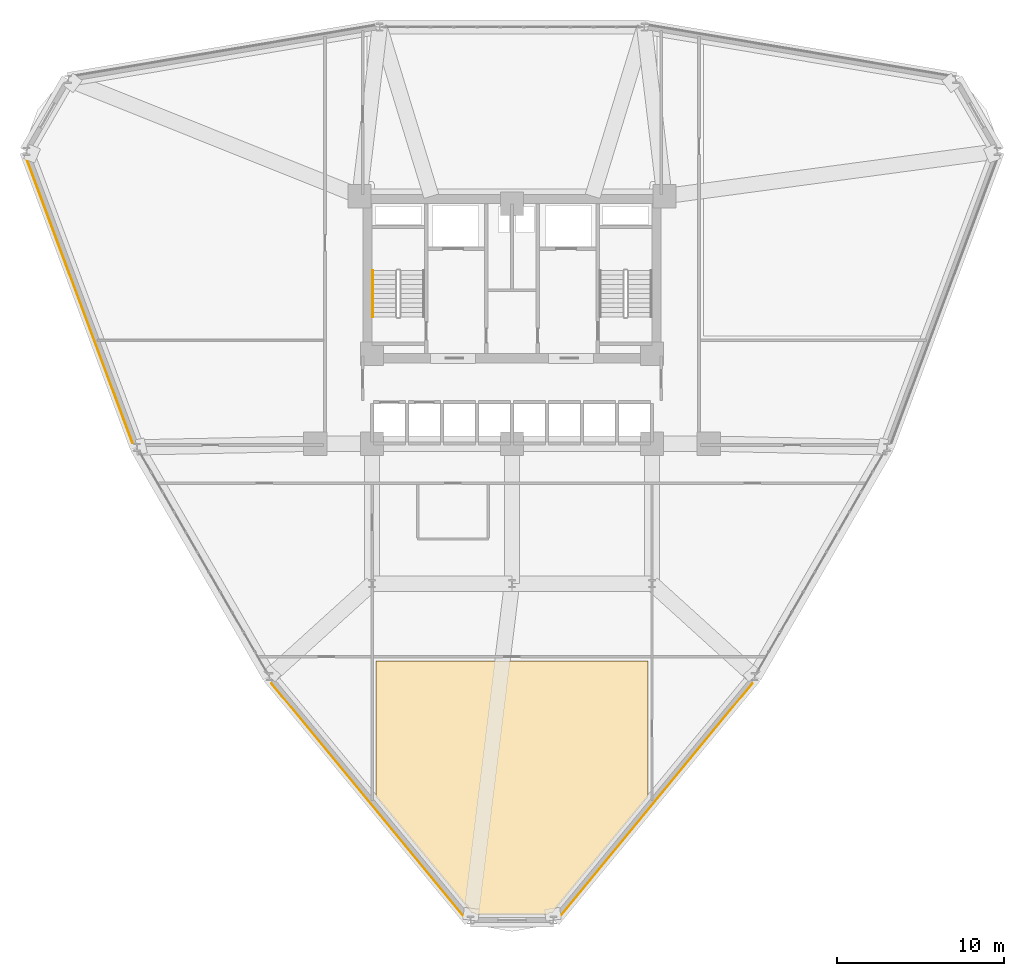
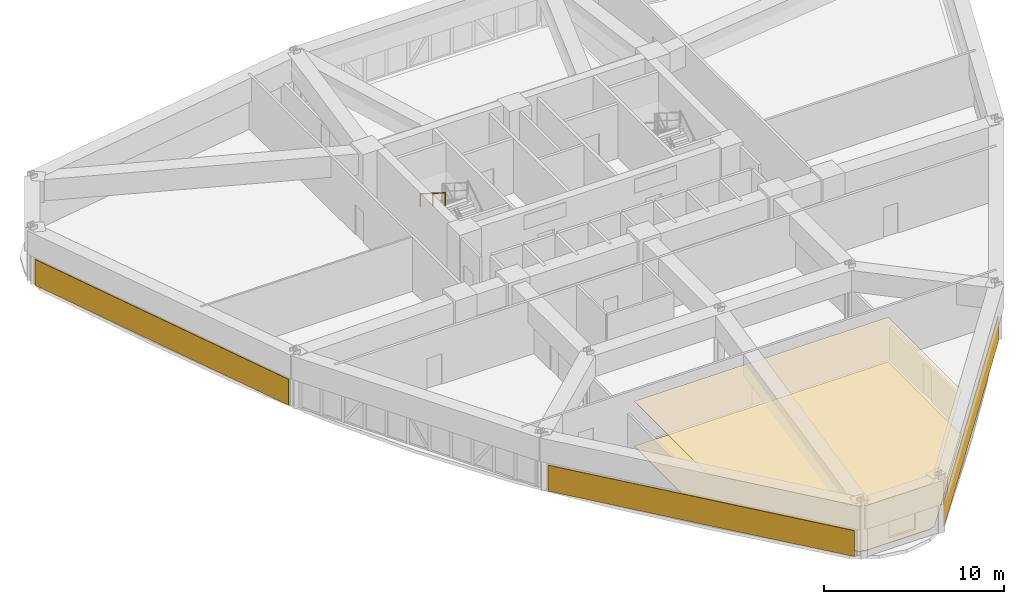
# One storey, part 18 of 20: 5 coverings, 1 railing.
"""IFC4 building model written with IfcOpenShell, lengths in metres."""

from ifc_helpers import new_model, si_unit, derived_unit, direction, frame, origin, origin_2d, place, context, subcontext, project, spatial, polyline, circle, outline, extrude, material, layer, layer_set, type_object, element, save


model = new_model("IFC4")

# Units and contexts
model_context = context("Model", 3, precision=1e-05, world=origin(), true_north=direction((0.0, 1.0)))
body_context = subcontext(model_context, "Body", "Model", "MODEL_VIEW")
ifc_project = project(units=[si_unit("LENGTHUNIT", "METRE"), si_unit("AREAUNIT", "SQUARE_METRE"), si_unit("VOLUMEUNIT", "CUBIC_METRE"), si_unit("PLANEANGLEUNIT", "RADIAN"), si_unit("MASSUNIT", "GRAM", prefix="KILO"), derived_unit("THERMALTRANSMITTANCEUNIT", [(si_unit("POWERUNIT", "WATT"), 1), (si_unit("LENGTHUNIT", "METRE"), -2), (si_unit("THERMODYNAMICTEMPERATUREUNIT", "KELVIN"), -1)])], contexts=[model_context])

# Site, building, storey
site_placement = place(None, origin())
site = spatial("IfcSite", under=ifc_project, at=site_placement, CompositionType="ELEMENT")
building_placement = place(site_placement, origin())
building = spatial("IfcBuilding", under=site, at=building_placement, Name="Korsvarv Bourse and Concert Hall", CompositionType="ELEMENT")
storey_placement = place(building_placement, frame((0.0, 0.0, 43.5)))
storey = spatial("IfcBuildingStorey", under=building, at=storey_placement, Name="L10", CompositionType="ELEMENT", Elevation=43.5)

# Coverings
ifc_material_1 = material(Name="Perforated mineral-wool and birch acoustic baffle ceiling", Category="wood")
ifc_layer_1 = layer(ifc_material_1, 0.02490234375)
ifc_layer_set_1 = layer_set([ifc_layer_1], Name="Perforated mineral-wool and birch acoustic baffle ceiling")
covering_type_1 = type_object("IfcCoveringType", Name="COV-CEIL-1", PredefinedType="CEILING", material=ifc_layer_set_1)
covering_1_placement = place(storey_placement, frame((0.0, 0.0, 3.06005859375)))
element("IfcCovering", 1, at=covering_1_placement, inside=storey, type_object=covering_type_1, Name="L10 acoustic baffle ceiling 2", PredefinedType="CEILING", context=body_context, shape_type="SweptSolid", body=[
    extrude(outline(polyline([(33.87060546875, 4.1513671875), (33.846923828125, 4.176025390625), (33.819091796875, 4.19580078125), (33.787841796875, 4.210205078125), (33.75439453125, 4.218017578125), (33.5986328125, 4.22607421875), (27.85009765625, 11.188232421875), (27.85009765625, 19.35009765625), (44.14990234375, 19.35009765625), (44.14990234375, 11.188232421875), (38.404541015625, 4.22998046875), (38.28076171875, 4.22998046875), (38.24609375, 4.2265625), (38.212646484375, 4.216552734375), (38.181884765625, 4.2001953125), (38.154541015625, 4.17822265625), (38.132080078125, 4.151611328125), (33.87060546875, 4.1513671875)])), origin(), (0.0, 0.0, 1.0), 0.02490234375),
])
ifc_material_2 = material(Name="Warm iron-oxide extruded terracotta rainscreen tile", Category="ceramic")
ifc_layer_2 = layer(ifc_material_2, 0.044921875)
ifc_layer_set_2 = layer_set([ifc_layer_2], Name="Warm iron-oxide extruded terracotta rainscreen tile")
covering_type_2 = type_object("IfcCoveringType", Name="COV-CLD-TC", PredefinedType="CLADDING", material=ifc_layer_set_2)
covering_2_placement = place(storey_placement, origin())
element("IfcCovering", 2, at=covering_2_placement, inside=storey, type_object=covering_type_2, Name="L10 fluted terracotta cladding panel EW-L10-B06", PredefinedType="CLADDING", context=body_context, shape_type="SweptSolid", body=[
    extrude(outline(polyline([(6.86181640625, 49.57568359375), (13.25048828125, 32.4462890625), (13.208251953125, 32.430419921875), (6.819580078125, 49.559814453125), (6.86181640625, 49.57568359375)])), origin(), (0.0, 0.0, 1.0), 1.760009765625),
])
covering_3_placement = place(storey_placement, origin())
element("IfcCovering", 3, at=covering_3_placement, inside=storey, type_object=covering_type_2, Name="L10 fluted terracotta cladding panel EW-L10-B08", PredefinedType="CLADDING", context=body_context, shape_type="SweptSolid", body=[
    extrude(outline(polyline([(21.5830078125, 18.032470703125), (33.15234375, 4.0205078125), (33.11767578125, 3.991943359375), (21.548095703125, 18.003662109375), (21.5830078125, 18.032470703125)])), origin(), (0.0, 0.0, 1.0), 1.760009765625),
])
covering_4_placement = place(storey_placement, origin())
element("IfcCovering", 4, at=covering_4_placement, inside=storey, type_object=covering_type_2, Name="L10 fluted terracotta cladding panel EW-L10-B10", PredefinedType="CLADDING", context=body_context, shape_type="SweptSolid", body=[
    extrude(outline(polyline([(38.84765625, 4.0205078125), (50.4169921875, 18.032470703125), (50.451904296875, 18.003662109375), (38.88232421875, 3.991943359375), (38.84765625, 4.0205078125)])), origin(), (0.0, 0.0, 1.0), 1.760009765625),
])
ifc_material_3 = material(Name="Calcium-sulphate raised access trading floor with Nordic oak top", Category="wood")
ifc_layer_3 = layer(ifc_material_3, 0.0400390625)
ifc_layer_set_3 = layer_set([ifc_layer_3], Name="Calcium-sulphate raised access trading floor with Nordic oak top")
covering_type_3 = type_object("IfcCoveringType", Name="COV-FLOR-1", PredefinedType="FLOORING", material=ifc_layer_set_3)
covering_5_placement = place(storey_placement, origin())
element("IfcCovering", 5, at=covering_5_placement, inside=storey, type_object=covering_type_3, Name="L10 raised access oak floor finish 2", PredefinedType="FLOORING", context=body_context, shape_type="SweptSolid", body=[
    extrude(outline(polyline([(33.87060546875, 4.1513671875), (33.846923828125, 4.176025390625), (33.819091796875, 4.19580078125), (33.787841796875, 4.210205078125), (33.75439453125, 4.218017578125), (33.5986328125, 4.22607421875), (27.85009765625, 11.188232421875), (27.85009765625, 19.35009765625), (44.14990234375, 19.35009765625), (44.14990234375, 11.188232421875), (38.404541015625, 4.22998046875), (38.28076171875, 4.22998046875), (38.24609375, 4.2265625), (38.212646484375, 4.216552734375), (38.181884765625, 4.2001953125), (38.154541015625, 4.17822265625), (38.132080078125, 4.151611328125), (33.87060546875, 4.1513671875)])), origin(), (0.0, 0.0, 1.0), 0.0400390625),
])

# Railing
ifc_material_4 = material(Name="Brushed stainless Steel S355 tubular handrail", Category="steel")
railing_type = type_object("IfcRailingType", Name="RL-ST-HND", PredefinedType="HANDRAIL", material=ifc_material_4)
railing_placement = place(storey_placement, frame((27.64990234375, 42.800048828125, 2.127197265625)))
element("IfcRailing", 6, at=railing_placement, inside=storey, type_object=railing_type, Name="L10 ST-T1 stair handrail 2", PredefinedType="HANDRAIL", context=body_context, shape_type="SweptSolid", body=[
    extrude(circle(Radius=0.02392578125, at=origin_2d()), frame((0.0, 0.0, 0.8759765625), z_axis=(0.0, -0.844908973607, 0.534910110503), x_axis=(1.0, 0.0, 0.0)), (0.0, 0.0, 1.0), 3.31396484375),
    extrude(circle(Radius=0.02099609375, at=origin_2d()), origin(), (0.0, 0.0, 1.0), 0.851806640625),
    extrude(circle(Radius=0.02099609375, at=origin_2d()), frame((0.0, -1.39990234375, 0.88623046875)), (0.0, 0.0, 1.0), 0.851806640625),
    extrude(circle(Radius=0.02099609375, at=origin_2d()), frame((0.0, -2.800048828125, 1.772705078125)), (0.0, 0.0, 1.0), 0.851806640625),
])

save(model, "model.ifc")
